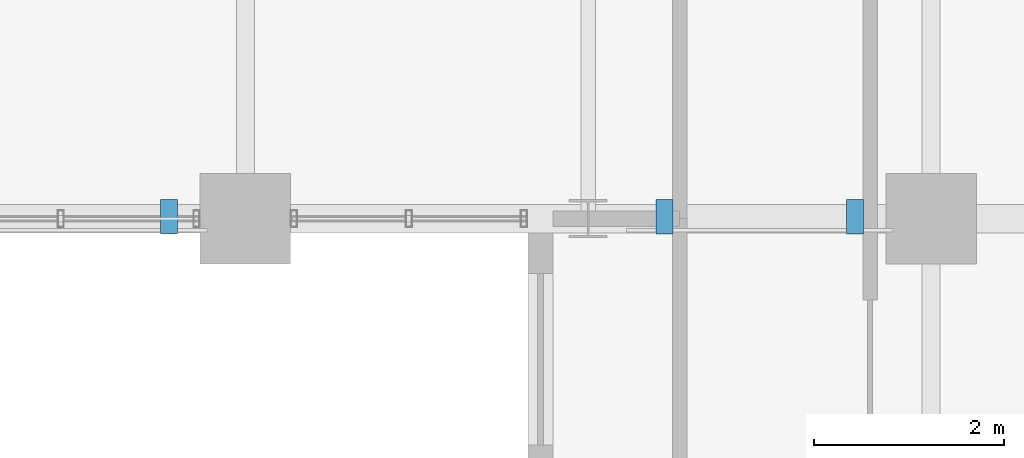
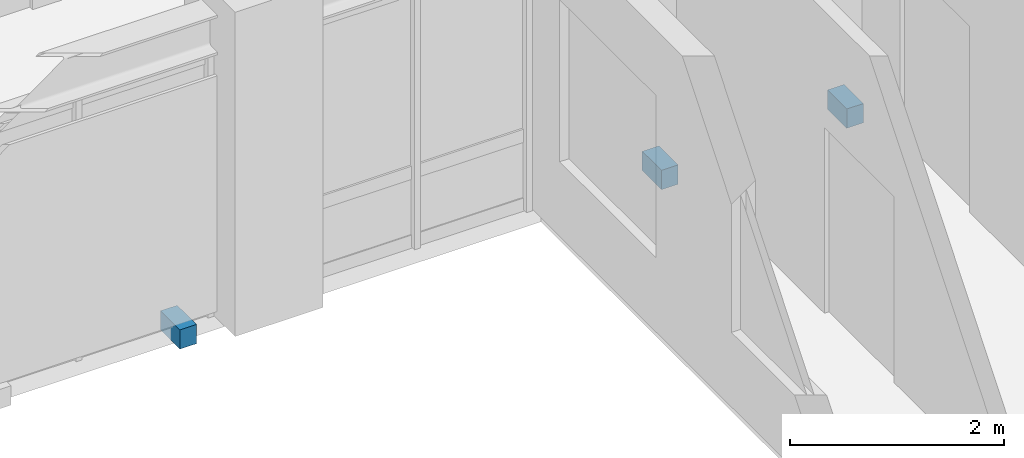
# One storey, part 13 of 16: 3 discrete accessories.
"""IFC4 building model written with IfcOpenShell, lengths in metres."""

from ifc_helpers import new_model, si_unit, direction, frame, origin, origin_2d, place, context, subcontext, project, spatial, rectangle, extrude, source, transform, mapped, material, type_object, element, save


model = new_model("IFC4")

# Units and contexts
model_context = context("Model", 3, precision=1e-05, world=origin(), true_north=direction((0.0, 1.0)))
body_context = subcontext(model_context, "Body", "Model", "MODEL_VIEW")
ifc_project = project(units=[si_unit("LENGTHUNIT", "METRE"), si_unit("AREAUNIT", "SQUARE_METRE"), si_unit("VOLUMEUNIT", "CUBIC_METRE"), si_unit("PLANEANGLEUNIT", "RADIAN"), si_unit("MASSUNIT", "GRAM", prefix="KILO")], contexts=[model_context])

# Site, building, storey
site_placement = place(None, origin())
site = spatial("IfcSite", under=ifc_project, at=site_placement, CompositionType="ELEMENT")
building_placement = place(site_placement, origin())
building = spatial("IfcBuilding", under=site, at=building_placement, Name="Kaliganga Portal Commons", CompositionType="ELEMENT")
storey_placement = place(building_placement, frame((0.0, 0.0, 205.5)))
storey = spatial("IfcBuildingStorey", under=building, at=storey_placement, Name="L52", CompositionType="ELEMENT", Elevation=205.5)

# Discrete accessories
ifc_material = material(Name="Structural steel S355J2", Category="steel")
discrete_accessory_type = type_object("IfcDiscreteAccessoryType", Name="DAC-BRK-SCR", PredefinedType="BRACKET", material=ifc_material)
shared_shape = source(origin(), body_context, "Body", "SweptSolid", [
    extrude(rectangle(XDim=0.179931640625, YDim=0.360107421875, at=origin_2d()), origin(), (0.0, 0.0, 1.0), 0.219970703125),
])
for number, where, z_axis, x_axis, name in (
    (1, (28.0, 21.6201171875, -0.18994140625), (0.0, 0.0, 1.0), (1.0, 0.0, 0.0), "Solar Screen Outrigger Bracket L52-S2-2"),
    (2, (33.199951171875, 21.6201171875, -0.18994140625), (0.0, 0.0, 1.0), (1.0, 0.0, 0.0), "Solar Screen Outrigger Bracket L52-S3-1"),
    (3, (35.199951171875, 21.6201171875, -0.18994140625), (0.0, 0.0, 1.0), (1.0, 0.0, 0.0), "Solar Screen Outrigger Bracket L52-S3-2"),
):
    element("IfcDiscreteAccessory", number, at=place(storey_placement, frame(where, z_axis=z_axis, x_axis=x_axis)), inside=storey, type_object=discrete_accessory_type, Name=name, PredefinedType="BRACKET", context=body_context, shape_type="MappedRepresentation", body=[
        mapped(shared_shape, transform((0.0, 0.0, 0.0), x_axis=(1.0, 0.0, 0.0), y_axis=(0.0, 1.0, 0.0), z_axis=(0.0, 0.0, 1.0), scale=1.0)),
    ])

save(model, "model.ifc")
